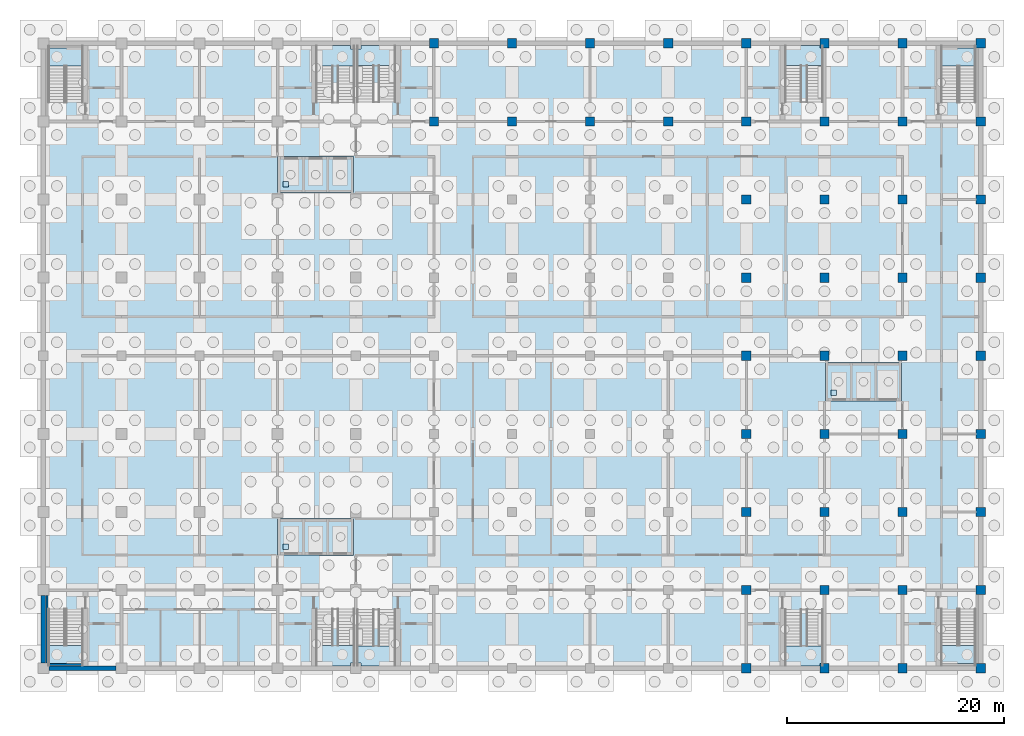
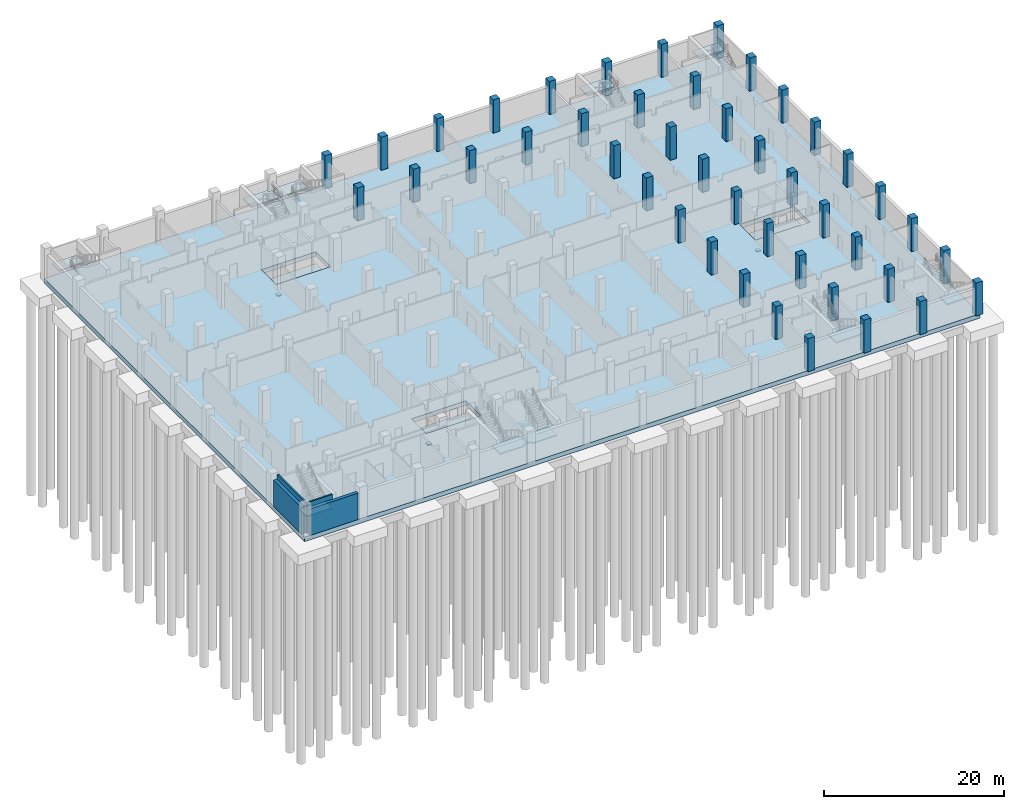
# One storey, part 6 of 19: 44 columns, 17 slabs, 4 walls, 10 elements without a shape of their own.
"""IFC4 building model written with IfcOpenShell, lengths in metres."""

from ifc_helpers import new_model, si_unit, direction, frame, frame_2d, origin, origin_2d, place, context, subcontext, project, spatial, polyline, rectangle, outline, extrude, material, layer, layer_set, material_profile, profile_set, type_object, element, aggregate, save


model = new_model("IFC4")

# Units and contexts
model_context = context("Model", 3, precision=1e-05, world=origin(), true_north=direction((0.0, 1.0)))
body_context = subcontext(model_context, "Body", "Model", "MODEL_VIEW")
ifc_project = project(units=[si_unit("LENGTHUNIT", "METRE"), si_unit("AREAUNIT", "SQUARE_METRE"), si_unit("VOLUMEUNIT", "CUBIC_METRE"), si_unit("PLANEANGLEUNIT", "RADIAN"), si_unit("MASSUNIT", "GRAM", prefix="KILO")], contexts=[model_context])

# Site, building, storey
site_placement = place(None, origin())
site = spatial("IfcSite", under=ifc_project, at=site_placement, CompositionType="ELEMENT")
building_placement = place(site_placement, origin())
building = spatial("IfcBuilding", under=site, at=building_placement, Name="Silangan Lancet Faculty of Sciences", CompositionType="ELEMENT")
storey_placement = place(building_placement, frame((0.0, 0.0, -4.5)))
storey = spatial("IfcBuildingStorey", under=building, at=storey_placement, Name="B1", CompositionType="ELEMENT", Elevation=-4.5)

# Columns
ifc_material_1 = material(Name="Concrete C40/50", Category="concrete")
ifc_material_profile = material_profile(ifc_material_1, rectangle(XDim=0.85009765625, YDim=0.85009765625, at=origin_2d()), Name="RC 850x850")
ifc_profile_set = profile_set([ifc_material_profile], Name="Concrete C40/50")
column_type = type_object("IfcColumnType", Name="COLUMN RC 850x850", PredefinedType="COLUMN", material=ifc_profile_set)
for number, where, z_axis, x_axis, name in (
    (1, (36.0, 50.39990234375, 0.0), (0.0, 0.0, 1.0), (1.0, 0.0, 0.0), "COL-B1-6H"),
    (2, (36.0, 57.60009765625, 0.0), (0.0, 0.0, 1.0), (1.0, 0.0, 0.0), "COL-B1-6I"),
    (3, (43.199951171875, 50.39990234375, 0.0), (0.0, 0.0, 1.0), (1.0, 0.0, 0.0), "COL-B1-7H"),
    (4, (43.199951171875, 57.60009765625, 0.0), (0.0, 0.0, 1.0), (1.0, 0.0, 0.0), "COL-B1-7I"),
    (5, (50.39990234375, 50.39990234375, 0.0), (0.0, 0.0, 1.0), (1.0, 0.0, 0.0), "COL-B1-8H"),
    (6, (50.39990234375, 57.60009765625, 0.0), (0.0, 0.0, 1.0), (1.0, 0.0, 0.0), "COL-B1-8I"),
    (7, (57.60009765625, 50.39990234375, 0.0), (0.0, 0.0, 1.0), (1.0, 0.0, 0.0), "COL-B1-9H"),
    (8, (57.60009765625, 57.60009765625, 0.0), (0.0, 0.0, 1.0), (1.0, 0.0, 0.0), "COL-B1-9I"),
    (9, (64.800048828125, 0.0, 0.0), (0.0, 0.0, 1.0), (1.0, 0.0, 0.0), "COL-B1-10A"),
    (10, (64.800048828125, 7.199951171875, 0.0), (0.0, 0.0, 1.0), (1.0, 0.0, 0.0), "COL-B1-10B"),
    (11, (64.800048828125, 14.39990234375, 0.0), (0.0, 0.0, 1.0), (1.0, 0.0, 0.0), "COL-B1-10C"),
    (12, (64.800048828125, 21.60009765625, 0.0), (0.0, 0.0, 1.0), (1.0, 0.0, 0.0), "COL-B1-10D"),
    (13, (64.800048828125, 28.800048828125, 0.0), (0.0, 0.0, 1.0), (1.0, 0.0, 0.0), "COL-B1-10E"),
    (14, (64.800048828125, 36.0, 0.0), (0.0, 0.0, 1.0), (1.0, 0.0, 0.0), "COL-B1-10F"),
    (15, (64.800048828125, 43.199951171875, 0.0), (0.0, 0.0, 1.0), (1.0, 0.0, 0.0), "COL-B1-10G"),
    (16, (64.800048828125, 50.39990234375, 0.0), (0.0, 0.0, 1.0), (1.0, 0.0, 0.0), "COL-B1-10H"),
    (17, (64.800048828125, 57.60009765625, 0.0), (0.0, 0.0, 1.0), (1.0, 0.0, 0.0), "COL-B1-10I"),
    (18, (72.0, 0.0, 0.0), (0.0, 0.0, 1.0), (1.0, 0.0, 0.0), "COL-B1-11A"),
    (19, (72.0, 7.199951171875, 0.0), (0.0, 0.0, 1.0), (1.0, 0.0, 0.0), "COL-B1-11B"),
    (20, (72.0, 14.39990234375, 0.0), (0.0, 0.0, 1.0), (1.0, 0.0, 0.0), "COL-B1-11C"),
    (21, (72.0, 21.60009765625, 0.0), (0.0, 0.0, 1.0), (1.0, 0.0, 0.0), "COL-B1-11D"),
    (22, (72.0, 28.800048828125, 0.0), (0.0, 0.0, 1.0), (1.0, 0.0, 0.0), "COL-B1-11E"),
    (23, (72.0, 36.0, 0.0), (0.0, 0.0, 1.0), (1.0, 0.0, 0.0), "COL-B1-11F"),
    (24, (72.0, 43.199951171875, 0.0), (0.0, 0.0, 1.0), (1.0, 0.0, 0.0), "COL-B1-11G"),
    (25, (72.0, 50.39990234375, 0.0), (0.0, 0.0, 1.0), (1.0, 0.0, 0.0), "COL-B1-11H"),
    (26, (72.0, 57.60009765625, 0.0), (0.0, 0.0, 1.0), (1.0, 0.0, 0.0), "COL-B1-11I"),
    (27, (79.199951171875, 0.0, 0.0), (0.0, 0.0, 1.0), (1.0, 0.0, 0.0), "COL-B1-12A"),
    (28, (79.199951171875, 7.199951171875, 0.0), (0.0, 0.0, 1.0), (1.0, 0.0, 0.0), "COL-B1-12B"),
    (29, (79.199951171875, 14.39990234375, 0.0), (0.0, 0.0, 1.0), (1.0, 0.0, 0.0), "COL-B1-12C"),
    (30, (79.199951171875, 21.60009765625, 0.0), (0.0, 0.0, 1.0), (1.0, 0.0, 0.0), "COL-B1-12D"),
    (31, (79.199951171875, 28.800048828125, 0.0), (0.0, 0.0, 1.0), (1.0, 0.0, 0.0), "COL-B1-12E"),
    (32, (79.199951171875, 36.0, 0.0), (0.0, 0.0, 1.0), (1.0, 0.0, 0.0), "COL-B1-12F"),
    (33, (79.199951171875, 43.199951171875, 0.0), (0.0, 0.0, 1.0), (1.0, 0.0, 0.0), "COL-B1-12G"),
    (34, (79.199951171875, 50.39990234375, 0.0), (0.0, 0.0, 1.0), (1.0, 0.0, 0.0), "COL-B1-12H"),
    (35, (79.199951171875, 57.60009765625, 0.0), (0.0, 0.0, 1.0), (1.0, 0.0, 0.0), "COL-B1-12I"),
    (36, (86.39990234375, 0.0, 0.0), (0.0, 0.0, 1.0), (1.0, 0.0, 0.0), "COL-B1-13A"),
    (37, (86.39990234375, 7.199951171875, 0.0), (0.0, 0.0, 1.0), (1.0, 0.0, 0.0), "COL-B1-13B"),
    (38, (86.39990234375, 14.39990234375, 0.0), (0.0, 0.0, 1.0), (1.0, 0.0, 0.0), "COL-B1-13C"),
    (39, (86.39990234375, 21.60009765625, 0.0), (0.0, 0.0, 1.0), (1.0, 0.0, 0.0), "COL-B1-13D"),
    (40, (86.39990234375, 28.800048828125, 0.0), (0.0, 0.0, 1.0), (1.0, 0.0, 0.0), "COL-B1-13E"),
    (41, (86.39990234375, 36.0, 0.0), (0.0, 0.0, 1.0), (1.0, 0.0, 0.0), "COL-B1-13F"),
    (42, (86.39990234375, 43.199951171875, 0.0), (0.0, 0.0, 1.0), (1.0, 0.0, 0.0), "COL-B1-13G"),
    (43, (86.39990234375, 50.39990234375, 0.0), (0.0, 0.0, 1.0), (1.0, 0.0, 0.0), "COL-B1-13H"),
    (44, (86.39990234375, 57.60009765625, 0.0), (0.0, 0.0, 1.0), (1.0, 0.0, 0.0), "COL-B1-13I"),
):
    element("IfcColumn", number, at=place(storey_placement, frame(where, z_axis=z_axis, x_axis=x_axis)), inside=storey, type_object=column_type, Name=name, PredefinedType="COLUMN", context=body_context, shape_type="SweptSolid", body=[
        extrude(rectangle(XDim=0.85009765625, YDim=0.85009765625, at=origin_2d()), origin(), (0.0, 0.0, 1.0), 4.5),
    ])

# Slabs
ifc_material_2 = material(Name="Concrete C40/50", Category="concrete")
ifc_layer_1 = layer(ifc_material_2, 0.199951171875)
ifc_layer_set_1 = layer_set([ifc_layer_1], Name="Concrete C40/50")
slab_type_1 = type_object("IfcSlabType", Name="PIT SUMP FLOOR RC 200", PredefinedType="BASESLAB", material=ifc_layer_set_1)
slab_1_placement = place(storey_placement, frame((0.0, 0.0, -2.199951171875)))
element("IfcSlab", 45, at=slab_1_placement, inside=storey, type_object=slab_type_1, Name="PITSUMP-EB", PredefinedType="BASESLAB", context=body_context, shape_type="SweptSolid", body=[
    extrude(outline(polyline([(72.60009765625, 25.14990234375), (73.10009765625, 25.14990234375), (73.10009765625, 25.64990234375), (72.60009765625, 25.64990234375), (72.60009765625, 25.14990234375)])), origin(), (0.0, 0.0, 1.0), 0.199951171875),
])
slab_2_placement = place(storey_placement, frame((0.0, 0.0, -2.199951171875)))
element("IfcSlab", 46, at=slab_2_placement, inside=storey, type_object=slab_type_1, Name="PITSUMP-NT", PredefinedType="BASESLAB", context=body_context, shape_type="SweptSolid", body=[
    extrude(outline(polyline([(22.10009765625, 44.35009765625), (22.60009765625, 44.35009765625), (22.60009765625, 44.85009765625), (22.10009765625, 44.85009765625), (22.10009765625, 44.35009765625)])), origin(), (0.0, 0.0, 1.0), 0.199951171875),
])
slab_3_placement = place(storey_placement, frame((0.0, 0.0, -2.199951171875)))
element("IfcSlab", 47, at=slab_3_placement, inside=storey, type_object=slab_type_1, Name="PITSUMP-ST", PredefinedType="BASESLAB", context=body_context, shape_type="SweptSolid", body=[
    extrude(outline(polyline([(22.10009765625, 10.949951171875), (22.60009765625, 10.949951171875), (22.60009765625, 11.449951171875), (22.10009765625, 11.449951171875), (22.10009765625, 10.949951171875)])), origin(), (0.0, 0.0, 1.0), 0.199951171875),
])
ifc_material_3 = material(Name="Concrete C30/37", Category="concrete")
ifc_layer_2 = layer(ifc_material_3, 0.60009765625)
ifc_layer_set_2 = layer_set([ifc_layer_2], Name="Concrete C30/37")
slab_type_2 = type_object("IfcSlabType", Name="SLAB BASE 600", PredefinedType="BASESLAB", material=ifc_layer_set_2)
slab_4_placement = place(storey_placement, frame((0.0, 0.0, -2.199951171875)))
element("IfcSlab", 48, at=slab_4_placement, inside=storey, type_object=slab_type_2, Name="PIT-EB", PredefinedType="BASESLAB", context=body_context, shape_type="SweptSolid", body=[
    extrude(outline(polyline([(72.10009765625, 24.64990234375), (79.10009765625, 24.64990234375), (79.10009765625, 28.14990234375), (72.10009765625, 28.14990234375), (72.10009765625, 24.64990234375)]), holes=[polyline([(72.60009765625, 25.14990234375), (72.60009765625, 25.64990234375), (73.10009765625, 25.64990234375), (73.10009765625, 25.14990234375), (72.60009765625, 25.14990234375)])]), origin(), (0.0, 0.0, 1.0), 0.599853515625),
])
slab_5_placement = place(storey_placement, frame((0.0, 0.0, -2.199951171875)))
element("IfcSlab", 49, at=slab_5_placement, inside=storey, type_object=slab_type_2, Name="PIT-NT", PredefinedType="BASESLAB", context=body_context, shape_type="SweptSolid", body=[
    extrude(outline(polyline([(21.60009765625, 43.85009765625), (28.60009765625, 43.85009765625), (28.60009765625, 47.14990234375), (21.60009765625, 47.14990234375), (21.60009765625, 43.85009765625)]), holes=[polyline([(22.10009765625, 44.35009765625), (22.10009765625, 44.85009765625), (22.60009765625, 44.85009765625), (22.60009765625, 44.35009765625), (22.10009765625, 44.35009765625)])]), origin(), (0.0, 0.0, 1.0), 0.599853515625),
])
slab_6_placement = place(storey_placement, frame((0.0, 0.0, -2.199951171875)))
element("IfcSlab", 50, at=slab_6_placement, inside=storey, type_object=slab_type_2, Name="PIT-ST", PredefinedType="BASESLAB", context=body_context, shape_type="SweptSolid", body=[
    extrude(outline(polyline([(21.60009765625, 10.449951171875), (28.60009765625, 10.449951171875), (28.60009765625, 13.75), (21.60009765625, 13.75), (21.60009765625, 10.449951171875)]), holes=[polyline([(22.10009765625, 10.949951171875), (22.10009765625, 11.449951171875), (22.60009765625, 11.449951171875), (22.60009765625, 10.949951171875), (22.10009765625, 10.949951171875)])]), origin(), (0.0, 0.0, 1.0), 0.599853515625),
])
slab_7_placement = place(storey_placement, frame((0.0, 0.0, -0.60009765625)))
element("IfcSlab", 51, at=slab_7_placement, inside=storey, type_object=slab_type_2, Name="BASE", PredefinedType="BASESLAB", context=body_context, shape_type="SweptSolid", body=[
    extrude(outline(polyline([(-0.199951171875, -0.199951171875), (86.60009765625, -0.199951171875), (86.60009765625, 57.800048828125), (-0.199951171875, 57.800048828125), (-0.199951171875, -0.199951171875)]), holes=[polyline([(28.60009765625, 10.449951171875), (21.60009765625, 10.449951171875), (21.60009765625, 13.75), (28.60009765625, 13.75), (28.60009765625, 10.449951171875)]), polyline([(72.10009765625, 24.64990234375), (72.10009765625, 28.14990234375), (79.10009765625, 28.14990234375), (79.10009765625, 24.64990234375), (72.10009765625, 24.64990234375)]), polyline([(21.60009765625, 43.85009765625), (21.60009765625, 47.14990234375), (28.60009765625, 47.14990234375), (28.60009765625, 43.85009765625), (21.60009765625, 43.85009765625)])]), origin(), (0.0, 0.0, 1.0), 0.60009765625),
])

# Stair, slab
ifc_material_4 = material(Name="Concrete C40/50", Category="concrete")
stair_type = type_object("IfcStairType", Name="TURRET STAIR 1550 TWO-FLIGHT", PredefinedType="HALF_TURN_STAIR", material=ifc_material_4)
stair_1_placement = place(storey_placement, origin())
stair_1 = element("IfcStair", 52, at=stair_1_placement, inside=storey, type_object=stair_type, Name="EB-A stair B1", PredefinedType="HALF_TURN_STAIR")
ifc_material_5 = material(Name="Concrete C40/50", Category="concrete")
ifc_layer_3 = layer(ifc_material_5, 0.179931640625)
ifc_layer_set_3 = layer_set([ifc_layer_3], Name="Concrete C40/50")
slab_type_3 = type_object("IfcSlabType", Name="TURRET STAIR LANDING RC 180", PredefinedType="LANDING", material=ifc_layer_set_3)
slab_8_placement = place(storey_placement, frame((0.0, 0.0, 2.070068359375)))
slab_8 = element("IfcSlab", 53, at=slab_8_placement, type_object=slab_type_3, Name="STR9 landing 1", PredefinedType="LANDING", context=body_context, shape_type="SweptSolid", body=[
    extrude(outline(polyline([(85.949951171875, 0.449951171875), (82.75, 0.449951171875), (82.75, 2.090087890625), (85.949951171875, 2.090087890625), (85.949951171875, 0.449951171875)])), origin(), (0.0, 0.0, 1.0), 0.179931640625),
])
aggregate(stair_1, [slab_8])

stair_2_placement = place(storey_placement, origin())
stair_2 = element("IfcStair", 54, at=stair_2_placement, inside=storey, type_object=stair_type, Name="EB-B stair B1", PredefinedType="HALF_TURN_STAIR")
slab_9_placement = place(storey_placement, frame((0.0, 0.0, 2.070068359375)))
slab_9 = element("IfcSlab", 55, at=slab_9_placement, type_object=slab_type_3, Name="STR10 landing 1", PredefinedType="LANDING", context=body_context, shape_type="SweptSolid", body=[
    extrude(outline(polyline([(85.949951171875, 57.14990234375), (85.949951171875, 55.510009765625), (82.75, 55.510009765625), (82.75, 57.14990234375), (85.949951171875, 57.14990234375)])), origin(), (0.0, 0.0, 1.0), 0.179931640625),
])
aggregate(stair_2, [slab_9])

stair_3_placement = place(storey_placement, origin())
stair_3 = element("IfcStair", 56, at=stair_3_placement, inside=storey, type_object=stair_type, Name="NAB-A stair B1", PredefinedType="HALF_TURN_STAIR")
slab_10_placement = place(storey_placement, frame((0.0, 0.0, 2.070068359375)))
slab_10 = element("IfcSlab", 57, at=slab_10_placement, type_object=slab_type_3, Name="STR7 landing 1", PredefinedType="LANDING", context=body_context, shape_type="SweptSolid", body=[
    extrude(outline(polyline([(28.925048828125, 55.56005859375), (28.925048828125, 57.10009765625), (29.300048828125, 57.10009765625), (29.300048828125, 57.39990234375), (32.449951171875, 57.39990234375), (32.449951171875, 55.56005859375), (28.925048828125, 55.56005859375)])), origin(), (0.0, 0.0, 1.0), 0.179931640625),
])
aggregate(stair_3, [slab_10])

stair_4_placement = place(storey_placement, origin())
stair_4 = element("IfcStair", 58, at=stair_4_placement, inside=storey, type_object=stair_type, Name="NAB-B stair B1", PredefinedType="HALF_TURN_STAIR")
slab_11_placement = place(storey_placement, frame((0.0, 0.0, 2.070068359375)))
slab_11 = element("IfcSlab", 59, at=slab_11_placement, type_object=slab_type_3, Name="STR8 landing 1", PredefinedType="LANDING", context=body_context, shape_type="SweptSolid", body=[
    extrude(outline(polyline([(71.875, 57.175048828125), (71.875, 55.56005859375), (68.35009765625, 55.56005859375), (68.35009765625, 57.39990234375), (71.574951171875, 57.39990234375), (71.574951171875, 57.175048828125), (71.875, 57.175048828125)])), origin(), (0.0, 0.0, 1.0), 0.179931640625),
])
aggregate(stair_4, [slab_11])

stair_5_placement = place(storey_placement, origin())
stair_5 = element("IfcStair", 60, at=stair_5_placement, inside=storey, type_object=stair_type, Name="NT-A stair B1", PredefinedType="HALF_TURN_STAIR")
slab_12_placement = place(storey_placement, frame((0.0, 0.0, 2.070068359375)))
slab_12 = element("IfcSlab", 61, at=slab_12_placement, type_object=slab_type_3, Name="STR3 landing 1", PredefinedType="LANDING", context=body_context, shape_type="SweptSolid", body=[
    extrude(outline(polyline([(0.449951171875, 55.510009765625), (0.449951171875, 57.10009765625), (0.5, 57.10009765625), (0.5, 57.14990234375), (3.64990234375, 57.14990234375), (3.64990234375, 55.510009765625), (0.449951171875, 55.510009765625)])), origin(), (0.0, 0.0, 1.0), 0.179931640625),
])
aggregate(stair_5, [slab_12])

stair_6_placement = place(storey_placement, origin())
stair_6 = element("IfcStair", 62, at=stair_6_placement, inside=storey, type_object=stair_type, Name="NT-B stair B1", PredefinedType="HALF_TURN_STAIR")
slab_13_placement = place(storey_placement, frame((0.0, 0.0, 2.070068359375)))
slab_13 = element("IfcSlab", 63, at=slab_13_placement, type_object=slab_type_3, Name="STR4 landing 1", PredefinedType="LANDING", context=body_context, shape_type="SweptSolid", body=[
    extrude(outline(polyline([(28.675048828125, 57.10009765625), (28.675048828125, 55.510009765625), (25.14990234375, 55.510009765625), (25.14990234375, 57.39990234375), (28.300048828125, 57.39990234375), (28.300048828125, 57.10009765625), (28.675048828125, 57.10009765625)])), origin(), (0.0, 0.0, 1.0), 0.179931640625),
])
aggregate(stair_6, [slab_13])

stair_7_placement = place(storey_placement, origin())
stair_7 = element("IfcStair", 64, at=stair_7_placement, inside=storey, type_object=stair_type, Name="SAB-A stair B1", PredefinedType="HALF_TURN_STAIR")
slab_14_placement = place(storey_placement, frame((0.0, 0.0, 2.070068359375)))
slab_14 = element("IfcSlab", 65, at=slab_14_placement, type_object=slab_type_3, Name="STR5 landing 1", PredefinedType="LANDING", context=body_context, shape_type="SweptSolid", body=[
    extrude(outline(polyline([(28.925048828125, 0.5), (28.925048828125, 2.0400390625), (32.449951171875, 2.0400390625), (32.449951171875, 0.199951171875), (29.300048828125, 0.199951171875), (29.300048828125, 0.5), (28.925048828125, 0.5)])), origin(), (0.0, 0.0, 1.0), 0.179931640625),
])
aggregate(stair_7, [slab_14])

stair_8_placement = place(storey_placement, origin())
stair_8 = element("IfcStair", 66, at=stair_8_placement, inside=storey, type_object=stair_type, Name="SAB-B stair B1", PredefinedType="HALF_TURN_STAIR")
slab_15_placement = place(storey_placement, frame((0.0, 0.0, 2.070068359375)))
slab_15 = element("IfcSlab", 67, at=slab_15_placement, type_object=slab_type_3, Name="STR6 landing 1", PredefinedType="LANDING", context=body_context, shape_type="SweptSolid", body=[
    extrude(outline(polyline([(68.35009765625, 0.199951171875), (68.35009765625, 2.0400390625), (71.875, 2.0400390625), (71.875, 0.425048828125), (71.574951171875, 0.425048828125), (71.574951171875, 0.199951171875), (68.35009765625, 0.199951171875)])), origin(), (0.0, 0.0, 1.0), 0.179931640625),
])
aggregate(stair_8, [slab_15])

stair_9_placement = place(storey_placement, origin())
stair_9 = element("IfcStair", 68, at=stair_9_placement, inside=storey, type_object=stair_type, Name="ST-A stair B1", PredefinedType="HALF_TURN_STAIR")
slab_16_placement = place(storey_placement, frame((0.0, 0.0, 2.070068359375)))
slab_16 = element("IfcSlab", 69, at=slab_16_placement, type_object=slab_type_3, Name="STR1 landing 1", PredefinedType="LANDING", context=body_context, shape_type="SweptSolid", body=[
    extrude(outline(polyline([(3.64990234375, 0.449951171875), (0.5, 0.449951171875), (0.5, 0.5), (0.449951171875, 0.5), (0.449951171875, 2.090087890625), (3.64990234375, 2.090087890625), (3.64990234375, 0.449951171875)])), origin(), (0.0, 0.0, 1.0), 0.179931640625),
])
aggregate(stair_9, [slab_16])

stair_10_placement = place(storey_placement, origin())
stair_10 = element("IfcStair", 70, at=stair_10_placement, inside=storey, type_object=stair_type, Name="ST-B stair B1", PredefinedType="HALF_TURN_STAIR")
slab_17_placement = place(storey_placement, frame((0.0, 0.0, 2.070068359375)))
slab_17 = element("IfcSlab", 71, at=slab_17_placement, type_object=slab_type_3, Name="STR2 landing 1", PredefinedType="LANDING", context=body_context, shape_type="SweptSolid", body=[
    extrude(outline(polyline([(25.14990234375, 0.199951171875), (25.14990234375, 2.090087890625), (28.675048828125, 2.090087890625), (28.675048828125, 0.5), (28.300048828125, 0.5), (28.300048828125, 0.199951171875), (25.14990234375, 0.199951171875)])), origin(), (0.0, 0.0, 1.0), 0.179931640625),
])
aggregate(stair_10, [slab_17])

# Walls
ifc_material_6 = material(Name="Concrete C35/45", Category="concrete")
ifc_layer_4 = layer(ifc_material_6, 0.39990234375)
ifc_layer_set_4 = layer_set([ifc_layer_4], Name="Concrete C35/45")
wall_type_1 = type_object("IfcWallType", Name="RW1 Basement retaining wall", PredefinedType="SOLIDWALL", material=ifc_layer_set_4)
for number, where, z_axis, x_axis, name in (
    (72, (0.5, 0.0, 0.0), (0.0, 0.0, 1.0), (1.0, 0.0, 0.0), "RW-B1-S-00"),
    (73, (0.0, 6.699951171875, 0.0), (0.0, 0.0, 1.0), (0.0, -1.0, 0.0), "RW-B1-W-07"),
):
    element("IfcWall", number, at=place(storey_placement, frame(where, z_axis=z_axis, x_axis=x_axis)), inside=storey, type_object=wall_type_1, Name=name, PredefinedType="SOLIDWALL", context=body_context, shape_type="SweptSolid", body=[
        extrude(rectangle(XDim=6.199951171875, YDim=0.39990234375, at=frame_2d((3.10009765625, 0.0))), origin(), (0.0, 0.0, 1.0), 3.60009765625),
    ])
ifc_material_7 = material(Name="Concrete C40/50", Category="concrete")
ifc_layer_5 = layer(ifc_material_7, 0.199951171875)
ifc_layer_set_5 = layer_set([ifc_layer_5], Name="Concrete C40/50")
wall_type_2 = type_object("IfcWallType", Name="TURRET LINING WALL RC 200", PredefinedType="SHEAR", material=ifc_layer_set_5)
wall_1_placement = place(storey_placement, frame((0.35009765625, 0.5, 0.0), z_axis=(0.0, 0.0, 1.0), x_axis=(0.0, 1.0, 0.0)))
element("IfcWall", 74, at=wall_1_placement, inside=storey, type_object=wall_type_2, Name="WALL-B1-ST-A-WL", PredefinedType="SHEAR", context=body_context, shape_type="SweptSolid", body=[
    extrude(rectangle(XDim=6.199951171875, YDim=0.199951171875, at=frame_2d((3.10009765625, 0.0))), origin(), (0.0, 0.0, 1.0), 4.199951171875),
])
wall_2_placement = place(storey_placement, frame((0.5, 0.35009765625, 0.0), z_axis=(0.0, 0.0, 1.0), x_axis=(1.0, 0.0, 0.0)))
element("IfcWall", 75, at=wall_2_placement, inside=storey, type_object=wall_type_2, Name="WALL-B1-ST-A-WLD", PredefinedType="SHEAR", context=body_context, shape_type="SweptSolid", body=[
    extrude(rectangle(XDim=3.14990234375, YDim=0.199951171875, at=frame_2d((1.574951171875, 0.0))), origin(), (0.0, 0.0, 1.0), 4.199951171875),
])

save(model, "model.ifc")
